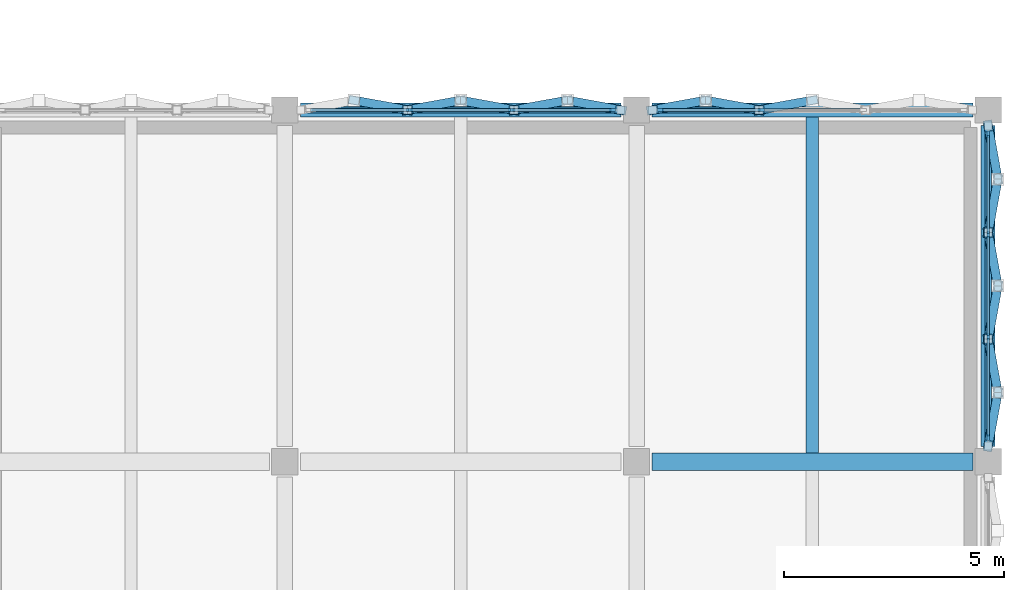
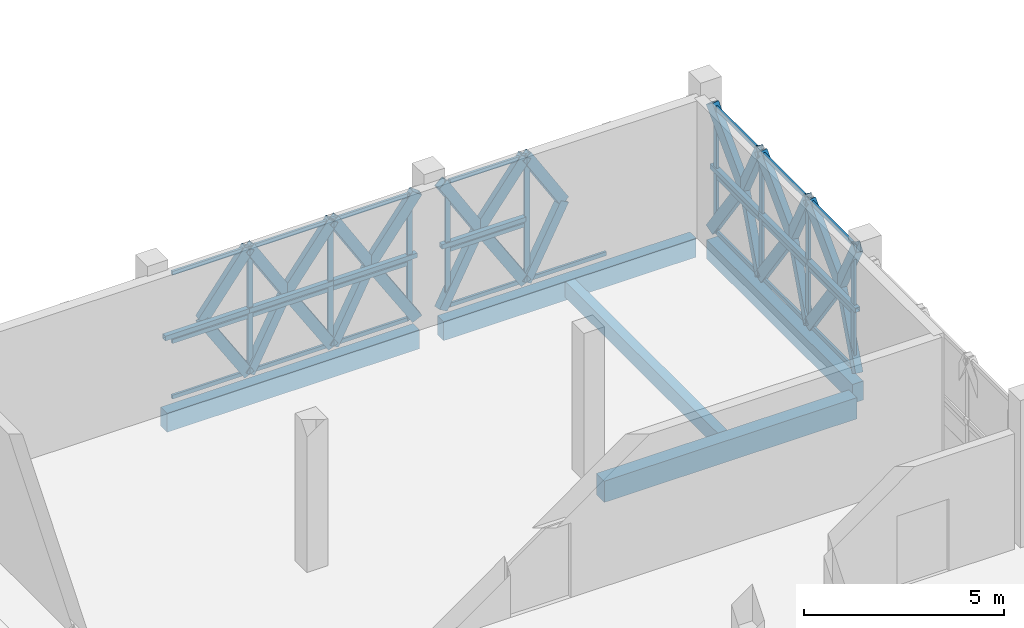
# One storey, part 18 of 43: 66 members, 5 beams, 3 elements without a shape of their own.
"""IFC4 building model written with IfcOpenShell, lengths in metres."""

from ifc_helpers import new_model, si_unit, direction, frame, origin, origin_2d, place, context, subcontext, project, spatial, rectangle, hollow_rectangle, extrude, material, layer, layer_set, material_profile, profile_set, type_object, element, aggregate, save


model = new_model("IFC4")

# Units and contexts
model_context = context("Model", 3, precision=1e-05, world=origin(), true_north=direction((0.0, 1.0)))
body_context = subcontext(model_context, "Body", "Model", "MODEL_VIEW")
ifc_project = project(units=[si_unit("LENGTHUNIT", "METRE"), si_unit("AREAUNIT", "SQUARE_METRE"), si_unit("VOLUMEUNIT", "CUBIC_METRE"), si_unit("PLANEANGLEUNIT", "RADIAN"), si_unit("MASSUNIT", "GRAM", prefix="KILO")], contexts=[model_context])

# Site, building, storey
site_placement = place(None, origin())
site = spatial("IfcSite", under=ifc_project, at=site_placement, CompositionType="ELEMENT")
building_placement = place(site_placement, origin())
building = spatial("IfcBuilding", under=site, at=building_placement, Name="Qorikala Patio Media Centre", CompositionType="ELEMENT")
storey_placement = place(building_placement, frame((0.0, 0.0, 18.89990234375)))
storey = spatial("IfcBuildingStorey", under=building, at=storey_placement, Name="L04", CompositionType="ELEMENT", Elevation=18.89990234375)

# Beam
ifc_material_1 = material(Name="Concrete C35/45", Category="concrete")
ifc_material_profile_1 = material_profile(ifc_material_1, rectangle(XDim=0.39990234375, YDim=0.64990234375, at=origin_2d()), Name="RC 400x650")
ifc_profile_set_1 = profile_set([ifc_material_profile_1], Name="Concrete C35/45")
beam_type_1 = type_object("IfcBeamType", Name="BM-G400X650", PredefinedType="BEAM", material=ifc_profile_set_1)
beam_1_placement = place(storey_placement, frame((90.35009765625, 19.0, -0.625), z_axis=(1.0, 0.0, 0.0), x_axis=(0.0, 1.0, 0.0)))
element("IfcBeam", 1, at=beam_1_placement, inside=storey, type_object=beam_type_1, Name="L04 Grid 19 Beam 1348", PredefinedType="BEAM", context=body_context, shape_type="SweptSolid", body=[
    extrude(rectangle(XDim=0.39990234375, YDim=0.64990234375, at=origin_2d()), origin(), (0.0, 0.0, 1.0), 7.2998046875),
])

# Members
ifc_material_2 = material(Name="Golden Bronze Coated Steel S355", Category="steel")
ifc_material_profile_2 = material_profile(ifc_material_2, hollow_rectangle(XDim=0.139892578125, YDim=0.139892578125, WallThickness=0.006103515625, at=origin_2d()), Name="HSS140X140X6")
ifc_profile_set_2 = profile_set([ifc_material_profile_2], Name="Golden Bronze Coated Steel S355")
member_type_1 = type_object("IfcMemberType", Name="BRACE-DIA140", PredefinedType="BRACE", material=ifc_profile_set_2)
member_1_placement = place(storey_placement, frame((82.360107421875, 27.0, 1.925048828125), z_axis=(1.0, 0.0, 0.0), x_axis=(0.0, 1.0, 0.0)))
element("IfcMember", 2, at=member_1_placement, inside=storey, type_object=member_type_1, Name="L04 Diamond Fold Tie 115", PredefinedType="BRACE", context=body_context, shape_type="SweptSolid", body=[
    extrude(hollow_rectangle(XDim=0.139892578125, YDim=0.139892578125, WallThickness=0.006103515625, at=origin_2d()), origin(), (0.0, 0.0, 1.0), 2.426513671875),
])
member_2_placement = place(storey_placement, frame((84.78662109375, 27.0, 1.925048828125), z_axis=(1.0, 0.0, 0.0), x_axis=(0.0, 1.0, 0.0)))
element("IfcMember", 3, at=member_2_placement, inside=storey, type_object=member_type_1, Name="L04 Diamond Fold Tie 116", PredefinedType="BRACE", context=body_context, shape_type="SweptSolid", body=[
    extrude(hollow_rectangle(XDim=0.139892578125, YDim=0.139892578125, WallThickness=0.006103515625, at=origin_2d()), origin(), (0.0, 0.0, 1.0), 2.4267578125),
])
for number, where, z_axis, x_axis, name in (
    (4, (87.21337890625, 27.0, 1.925048828125), (1.0, 0.0, 0.0), (0.0, 1.0, 0.0), "L04 Diamond Fold Tie 117"),
    (5, (90.360107421875, 27.0, 1.925048828125), (1.0, 0.0, 0.0), (0.0, 1.0, 0.0), "L04 Diamond Fold Tie 118"),
    (6, (98.0, 26.639892578125, 1.925048828125), (0.0, -1.0, 0.0), (1.0, 0.0, 0.0), "L04 Diamond Fold Tie 121"),
):
    element("IfcMember", number, at=place(storey_placement, frame(where, z_axis=z_axis, x_axis=x_axis)), inside=storey, type_object=member_type_1, Name=name, PredefinedType="BRACE", context=body_context, shape_type="SweptSolid", body=[
        extrude(hollow_rectangle(XDim=0.139892578125, YDim=0.139892578125, WallThickness=0.006103515625, at=origin_2d()), origin(), (0.0, 0.0, 1.0), 2.426513671875),
    ])
member_3_placement = place(storey_placement, frame((98.0, 24.21337890625, 1.925048828125), z_axis=(0.0, -1.0, 0.0), x_axis=(1.0, 0.0, 0.0)))
element("IfcMember", 7, at=member_3_placement, inside=storey, type_object=member_type_1, Name="L04 Diamond Fold Tie 122", PredefinedType="BRACE", context=body_context, shape_type="SweptSolid", body=[
    extrude(hollow_rectangle(XDim=0.139892578125, YDim=0.139892578125, WallThickness=0.006103515625, at=origin_2d()), origin(), (0.0, 0.0, 1.0), 2.4267578125),
])
member_4_placement = place(storey_placement, frame((98.0, 21.78662109375, 1.925048828125), z_axis=(0.0, -1.0, 0.0), x_axis=(1.0, 0.0, 0.0)))
element("IfcMember", 8, at=member_4_placement, inside=storey, type_object=member_type_1, Name="L04 Diamond Fold Tie 123", PredefinedType="BRACE", context=body_context, shape_type="SweptSolid", body=[
    extrude(hollow_rectangle(XDim=0.139892578125, YDim=0.139892578125, WallThickness=0.006103515625, at=origin_2d()), origin(), (0.0, 0.0, 1.0), 2.426513671875),
])

# Curtain wall, members
ifc_material_3 = material(Name="Golden Bronze Anodised Aluminium and Low-E Glass", Category="aluminium")
ifc_layer = layer(ifc_material_3, 0.159912109375)
ifc_layer_set = layer_set([ifc_layer], Name="Golden Bronze Anodised Aluminium and Low-E Glass")
curtain_wall_type = type_object("IfcCurtainWallType", Name="CW-DIA-696X385", PredefinedType="USERDEFINED", material=ifc_layer_set)
curtain_wall_1_placement = place(storey_placement, origin())
curtain_wall_1 = element("IfcCurtainWall", 9, at=curtain_wall_1_placement, inside=storey, type_object=curtain_wall_type, Name="L04 Courtyard Curtain Wall 080", ObjectType="COURTYARD CURTAIN WALL", PredefinedType="USERDEFINED")
ifc_material_4 = material(Name="Golden Bronze Anodised Aluminium", Category="aluminium")
ifc_material_profile_3 = material_profile(ifc_material_4, rectangle(XDim=0.06494140625, YDim=0.14990234375, at=origin_2d()), Name="ALU MULLION 65x150")
ifc_profile_set_3 = profile_set([ifc_material_profile_3], Name="Golden Bronze Anodised Aluminium")
member_type_2 = type_object("IfcMemberType", Name="CWM-65X150", PredefinedType="MULLION", material=ifc_profile_set_3)
member_5_placement = place(storey_placement, frame((84.840087890625, 27.0, 0.0), z_axis=(0.0, 0.0, 1.0), x_axis=(0.0, 1.0, 0.0)))
member_5 = element("IfcMember", 10, at=member_5_placement, type_object=member_type_2, Name="CWD696385 mullion 2", PredefinedType="MULLION", context=body_context, shape_type="SweptSolid", body=[
    extrude(rectangle(XDim=0.06494140625, YDim=0.14990234375, at=origin_2d()), origin(), (0.0, 0.0, 1.0), 3.85009765625),
])
member_6_placement = place(storey_placement, frame((87.159912109375, 27.0, 0.0), z_axis=(0.0, 0.0, 1.0), x_axis=(0.0, 1.0, 0.0)))
member_6 = element("IfcMember", 11, at=member_6_placement, type_object=member_type_2, Name="CWD696385 mullion 3", PredefinedType="MULLION", context=body_context, shape_type="SweptSolid", body=[
    extrude(rectangle(XDim=0.06494140625, YDim=0.14990234375, at=origin_2d()), origin(), (0.0, 0.0, 1.0), 3.85009765625),
])
member_7_placement = place(storey_placement, frame((89.447509765625, 27.0, 0.0), z_axis=(0.0, 0.0, 1.0), x_axis=(0.0, 1.0, 0.0)))
member_7 = element("IfcMember", 12, at=member_7_placement, type_object=member_type_2, Name="CWD696385 mullion 4", PredefinedType="MULLION", context=body_context, shape_type="SweptSolid", body=[
    extrude(rectangle(XDim=0.06494140625, YDim=0.14990234375, at=origin_2d()), origin(), (0.0, 0.0, 1.0), 3.85009765625),
])

curtain_wall_2_placement = place(storey_placement, origin())
curtain_wall_2 = element("IfcCurtainWall", 13, at=curtain_wall_2_placement, inside=storey, type_object=curtain_wall_type, Name="L04 Courtyard Curtain Wall 081", ObjectType="COURTYARD CURTAIN WALL", PredefinedType="USERDEFINED")
member_8_placement = place(storey_placement, frame((90.552490234375, 27.0, 0.0), z_axis=(0.0, 0.0, 1.0), x_axis=(0.0, 1.0, 0.0)))
member_8 = element("IfcMember", 14, at=member_8_placement, type_object=member_type_2, Name="CWD696385 mullion 1", PredefinedType="MULLION", context=body_context, shape_type="SweptSolid", body=[
    extrude(rectangle(XDim=0.06494140625, YDim=0.14990234375, at=origin_2d()), origin(), (0.0, 0.0, 1.0), 3.85009765625),
])
member_9_placement = place(storey_placement, frame((92.840087890625, 27.0, 0.0), z_axis=(0.0, 0.0, 1.0), x_axis=(0.0, 1.0, 0.0)))
member_9 = element("IfcMember", 15, at=member_9_placement, type_object=member_type_2, Name="CWD696385 mullion 2", PredefinedType="MULLION", context=body_context, shape_type="SweptSolid", body=[
    extrude(rectangle(XDim=0.06494140625, YDim=0.14990234375, at=origin_2d()), origin(), (0.0, 0.0, 1.0), 3.85009765625),
])

curtain_wall_3_placement = place(storey_placement, origin())
curtain_wall_3 = element("IfcCurtainWall", 16, at=curtain_wall_3_placement, inside=storey, type_object=curtain_wall_type, Name="L04 Courtyard Curtain Wall 082", ObjectType="COURTYARD CURTAIN WALL", PredefinedType="USERDEFINED")
member_10_placement = place(storey_placement, frame((98.0, 26.447509765625, 0.0), z_axis=(0.0, 0.0, 1.0), x_axis=(1.0, 0.0, 0.0)))
member_10 = element("IfcMember", 17, at=member_10_placement, type_object=member_type_2, Name="CWD696385 mullion 1", PredefinedType="MULLION", context=body_context, shape_type="SweptSolid", body=[
    extrude(rectangle(XDim=0.06494140625, YDim=0.14990234375, at=origin_2d()), origin(), (0.0, 0.0, 1.0), 3.85009765625),
])
member_11_placement = place(storey_placement, frame((98.0, 24.159912109375, 0.0), z_axis=(0.0, 0.0, 1.0), x_axis=(1.0, 0.0, 0.0)))
member_11 = element("IfcMember", 18, at=member_11_placement, type_object=member_type_2, Name="CWD696385 mullion 2", PredefinedType="MULLION", context=body_context, shape_type="SweptSolid", body=[
    extrude(rectangle(XDim=0.06494140625, YDim=0.14990234375, at=origin_2d()), origin(), (0.0, 0.0, 1.0), 3.85009765625),
])
member_12_placement = place(storey_placement, frame((98.0, 21.840087890625, 0.0), z_axis=(0.0, 0.0, 1.0), x_axis=(1.0, 0.0, 0.0)))
member_12 = element("IfcMember", 19, at=member_12_placement, type_object=member_type_2, Name="CWD696385 mullion 3", PredefinedType="MULLION", context=body_context, shape_type="SweptSolid", body=[
    extrude(rectangle(XDim=0.06494140625, YDim=0.14990234375, at=origin_2d()), origin(), (0.0, 0.0, 1.0), 3.85009765625),
])
member_13_placement = place(storey_placement, frame((98.0, 19.552490234375, 0.0), z_axis=(0.0, 0.0, 1.0), x_axis=(1.0, 0.0, 0.0)))
member_13 = element("IfcMember", 20, at=member_13_placement, type_object=member_type_2, Name="CWD696385 mullion 4", PredefinedType="MULLION", context=body_context, shape_type="SweptSolid", body=[
    extrude(rectangle(XDim=0.06494140625, YDim=0.14990234375, at=origin_2d()), origin(), (0.0, 0.0, 1.0), 3.85009765625),
])

# Member
ifc_material_profile_4 = material_profile(ifc_material_4, rectangle(XDim=0.06494140625, YDim=0.1201171875, at=origin_2d()), Name="ALU TRANSOM 65x120")
ifc_profile_set_4 = profile_set([ifc_material_profile_4], Name="Golden Bronze Anodised Aluminium")
member_type_3 = type_object("IfcMemberType", Name="CWT-65X120", PredefinedType="USERDEFINED", material=ifc_profile_set_4)
member_14_placement = place(storey_placement, frame((82.5849609375, 27.0, 0.03271484375), z_axis=(1.0, 0.0, 0.0), x_axis=(0.0, 1.0, 0.0)))
member_14 = element("IfcMember", 21, at=member_14_placement, type_object=member_type_3, Name="CWD696385 transom 1.1", ObjectType="TRANSOM", PredefinedType="USERDEFINED", context=body_context, shape_type="SweptSolid", body=[
    extrude(rectangle(XDim=0.06494140625, YDim=0.1201171875, at=origin_2d()), origin(), (0.0, 0.0, 1.0), 2.22265625),
])

member_15_placement = place(storey_placement, frame((82.5849609375, 27.0, 1.732666015625), z_axis=(1.0, 0.0, 0.0), x_axis=(0.0, 1.0, 0.0)))
member_15 = element("IfcMember", 22, at=member_15_placement, type_object=member_type_3, Name="CWD696385 transom 1.2", ObjectType="TRANSOM", PredefinedType="USERDEFINED", context=body_context, shape_type="SweptSolid", body=[
    extrude(rectangle(XDim=0.06494140625, YDim=0.1201171875, at=origin_2d()), origin(), (0.0, 0.0, 1.0), 2.22265625),
])

member_16_placement = place(storey_placement, frame((82.5849609375, 27.0, 3.817626953125), z_axis=(1.0, 0.0, 0.0), x_axis=(0.0, 1.0, 0.0)))
member_16 = element("IfcMember", 23, at=member_16_placement, type_object=member_type_3, Name="CWD696385 transom 1.3", ObjectType="TRANSOM", PredefinedType="USERDEFINED", context=body_context, shape_type="SweptSolid", body=[
    extrude(rectangle(XDim=0.06494140625, YDim=0.1201171875, at=origin_2d()), origin(), (0.0, 0.0, 1.0), 2.22265625),
])

member_17_placement = place(storey_placement, frame((84.87255859375, 27.0, 0.03271484375), z_axis=(1.0, 0.0, 0.0), x_axis=(0.0, 1.0, 0.0)))
member_17 = element("IfcMember", 24, at=member_17_placement, type_object=member_type_3, Name="CWD696385 transom 2.1", ObjectType="TRANSOM", PredefinedType="USERDEFINED", context=body_context, shape_type="SweptSolid", body=[
    extrude(rectangle(XDim=0.06494140625, YDim=0.1201171875, at=origin_2d()), origin(), (0.0, 0.0, 1.0), 2.2548828125),
])

member_18_placement = place(storey_placement, frame((84.87255859375, 27.0, 1.732666015625), z_axis=(1.0, 0.0, 0.0), x_axis=(0.0, 1.0, 0.0)))
member_18 = element("IfcMember", 25, at=member_18_placement, type_object=member_type_3, Name="CWD696385 transom 2.2", ObjectType="TRANSOM", PredefinedType="USERDEFINED", context=body_context, shape_type="SweptSolid", body=[
    extrude(rectangle(XDim=0.06494140625, YDim=0.1201171875, at=origin_2d()), origin(), (0.0, 0.0, 1.0), 2.2548828125),
])

member_19_placement = place(storey_placement, frame((84.87255859375, 27.0, 3.817626953125), z_axis=(1.0, 0.0, 0.0), x_axis=(0.0, 1.0, 0.0)))
member_19 = element("IfcMember", 26, at=member_19_placement, type_object=member_type_3, Name="CWD696385 transom 2.3", ObjectType="TRANSOM", PredefinedType="USERDEFINED", context=body_context, shape_type="SweptSolid", body=[
    extrude(rectangle(XDim=0.06494140625, YDim=0.1201171875, at=origin_2d()), origin(), (0.0, 0.0, 1.0), 2.2548828125),
])

member_20_placement = place(storey_placement, frame((87.1923828125, 27.0, 0.03271484375), z_axis=(1.0, 0.0, 0.0), x_axis=(0.0, 1.0, 0.0)))
member_20 = element("IfcMember", 27, at=member_20_placement, type_object=member_type_3, Name="CWD696385 transom 3.1", ObjectType="TRANSOM", PredefinedType="USERDEFINED", context=body_context, shape_type="SweptSolid", body=[
    extrude(rectangle(XDim=0.06494140625, YDim=0.1201171875, at=origin_2d()), origin(), (0.0, 0.0, 1.0), 2.22265625),
])

member_21_placement = place(storey_placement, frame((87.1923828125, 27.0, 1.732666015625), z_axis=(1.0, 0.0, 0.0), x_axis=(0.0, 1.0, 0.0)))
member_21 = element("IfcMember", 28, at=member_21_placement, type_object=member_type_3, Name="CWD696385 transom 3.2", ObjectType="TRANSOM", PredefinedType="USERDEFINED", context=body_context, shape_type="SweptSolid", body=[
    extrude(rectangle(XDim=0.06494140625, YDim=0.1201171875, at=origin_2d()), origin(), (0.0, 0.0, 1.0), 2.22265625),
])

member_22_placement = place(storey_placement, frame((87.1923828125, 27.0, 3.817626953125), z_axis=(1.0, 0.0, 0.0), x_axis=(0.0, 1.0, 0.0)))
member_22 = element("IfcMember", 29, at=member_22_placement, type_object=member_type_3, Name="CWD696385 transom 3.3", ObjectType="TRANSOM", PredefinedType="USERDEFINED", context=body_context, shape_type="SweptSolid", body=[
    extrude(rectangle(XDim=0.06494140625, YDim=0.1201171875, at=origin_2d()), origin(), (0.0, 0.0, 1.0), 2.22265625),
])

aggregate(curtain_wall_1, [member_5, member_6, member_7, member_14, member_15, member_16, member_17, member_18, member_19, member_20, member_21, member_22])

member_23_placement = place(storey_placement, frame((90.5849609375, 27.0, 0.03271484375), z_axis=(1.0, 0.0, 0.0), x_axis=(0.0, 1.0, 0.0)))
member_23 = element("IfcMember", 30, at=member_23_placement, type_object=member_type_3, Name="CWD696385 transom 1.1", ObjectType="TRANSOM", PredefinedType="USERDEFINED", context=body_context, shape_type="SweptSolid", body=[
    extrude(rectangle(XDim=0.06494140625, YDim=0.1201171875, at=origin_2d()), origin(), (0.0, 0.0, 1.0), 2.22265625),
])

member_24_placement = place(storey_placement, frame((90.5849609375, 27.0, 1.732666015625), z_axis=(1.0, 0.0, 0.0), x_axis=(0.0, 1.0, 0.0)))
member_24 = element("IfcMember", 31, at=member_24_placement, type_object=member_type_3, Name="CWD696385 transom 1.2", ObjectType="TRANSOM", PredefinedType="USERDEFINED", context=body_context, shape_type="SweptSolid", body=[
    extrude(rectangle(XDim=0.06494140625, YDim=0.1201171875, at=origin_2d()), origin(), (0.0, 0.0, 1.0), 2.22265625),
])

member_25_placement = place(storey_placement, frame((90.5849609375, 27.0, 3.817626953125), z_axis=(1.0, 0.0, 0.0), x_axis=(0.0, 1.0, 0.0)))
member_25 = element("IfcMember", 32, at=member_25_placement, type_object=member_type_3, Name="CWD696385 transom 1.3", ObjectType="TRANSOM", PredefinedType="USERDEFINED", context=body_context, shape_type="SweptSolid", body=[
    extrude(rectangle(XDim=0.06494140625, YDim=0.1201171875, at=origin_2d()), origin(), (0.0, 0.0, 1.0), 2.22265625),
])

member_26_placement = place(storey_placement, frame((92.87255859375, 27.0, 0.03271484375), z_axis=(1.0, 0.0, 0.0), x_axis=(0.0, 1.0, 0.0)))
member_26 = element("IfcMember", 33, at=member_26_placement, type_object=member_type_3, Name="CWD696385 transom 2.1", ObjectType="TRANSOM", PredefinedType="USERDEFINED", context=body_context, shape_type="SweptSolid", body=[
    extrude(rectangle(XDim=0.06494140625, YDim=0.1201171875, at=origin_2d()), origin(), (0.0, 0.0, 1.0), 2.2548828125),
])

aggregate(curtain_wall_2, [member_8, member_9, member_23, member_24, member_25, member_26])

member_27_placement = place(storey_placement, frame((98.0, 26.4150390625, 0.03271484375), z_axis=(0.0, -1.0, 0.0), x_axis=(1.0, 0.0, 0.0)))
member_27 = element("IfcMember", 34, at=member_27_placement, type_object=member_type_3, Name="CWD696385 transom 1.1", ObjectType="TRANSOM", PredefinedType="USERDEFINED", context=body_context, shape_type="SweptSolid", body=[
    extrude(rectangle(XDim=0.06494140625, YDim=0.1201171875, at=origin_2d()), origin(), (0.0, 0.0, 1.0), 2.22265625),
])

member_28_placement = place(storey_placement, frame((98.0, 26.4150390625, 1.732666015625), z_axis=(0.0, -1.0, 0.0), x_axis=(1.0, 0.0, 0.0)))
member_28 = element("IfcMember", 35, at=member_28_placement, type_object=member_type_3, Name="CWD696385 transom 1.2", ObjectType="TRANSOM", PredefinedType="USERDEFINED", context=body_context, shape_type="SweptSolid", body=[
    extrude(rectangle(XDim=0.06494140625, YDim=0.1201171875, at=origin_2d()), origin(), (0.0, 0.0, 1.0), 2.22265625),
])

member_29_placement = place(storey_placement, frame((98.0, 26.4150390625, 3.817626953125), z_axis=(0.0, -1.0, 0.0), x_axis=(1.0, 0.0, 0.0)))
member_29 = element("IfcMember", 36, at=member_29_placement, type_object=member_type_3, Name="CWD696385 transom 1.3", ObjectType="TRANSOM", PredefinedType="USERDEFINED", context=body_context, shape_type="SweptSolid", body=[
    extrude(rectangle(XDim=0.06494140625, YDim=0.1201171875, at=origin_2d()), origin(), (0.0, 0.0, 1.0), 2.22265625),
])

member_30_placement = place(storey_placement, frame((98.0, 24.12744140625, 0.03271484375), z_axis=(0.0, -1.0, 0.0), x_axis=(1.0, 0.0, 0.0)))
member_30 = element("IfcMember", 37, at=member_30_placement, type_object=member_type_3, Name="CWD696385 transom 2.1", ObjectType="TRANSOM", PredefinedType="USERDEFINED", context=body_context, shape_type="SweptSolid", body=[
    extrude(rectangle(XDim=0.06494140625, YDim=0.1201171875, at=origin_2d()), origin(), (0.0, 0.0, 1.0), 2.2548828125),
])

member_31_placement = place(storey_placement, frame((98.0, 24.12744140625, 1.732666015625), z_axis=(0.0, -1.0, 0.0), x_axis=(1.0, 0.0, 0.0)))
member_31 = element("IfcMember", 38, at=member_31_placement, type_object=member_type_3, Name="CWD696385 transom 2.2", ObjectType="TRANSOM", PredefinedType="USERDEFINED", context=body_context, shape_type="SweptSolid", body=[
    extrude(rectangle(XDim=0.06494140625, YDim=0.1201171875, at=origin_2d()), origin(), (0.0, 0.0, 1.0), 2.2548828125),
])

member_32_placement = place(storey_placement, frame((98.0, 24.12744140625, 3.817626953125), z_axis=(0.0, -1.0, 0.0), x_axis=(1.0, 0.0, 0.0)))
member_32 = element("IfcMember", 39, at=member_32_placement, type_object=member_type_3, Name="CWD696385 transom 2.3", ObjectType="TRANSOM", PredefinedType="USERDEFINED", context=body_context, shape_type="SweptSolid", body=[
    extrude(rectangle(XDim=0.06494140625, YDim=0.1201171875, at=origin_2d()), origin(), (0.0, 0.0, 1.0), 2.2548828125),
])

member_33_placement = place(storey_placement, frame((98.0, 21.8076171875, 0.03271484375), z_axis=(0.0, -1.0, 0.0), x_axis=(1.0, 0.0, 0.0)))
member_33 = element("IfcMember", 40, at=member_33_placement, type_object=member_type_3, Name="CWD696385 transom 3.1", ObjectType="TRANSOM", PredefinedType="USERDEFINED", context=body_context, shape_type="SweptSolid", body=[
    extrude(rectangle(XDim=0.06494140625, YDim=0.1201171875, at=origin_2d()), origin(), (0.0, 0.0, 1.0), 2.22265625),
])

member_34_placement = place(storey_placement, frame((98.0, 21.8076171875, 1.732666015625), z_axis=(0.0, -1.0, 0.0), x_axis=(1.0, 0.0, 0.0)))
member_34 = element("IfcMember", 41, at=member_34_placement, type_object=member_type_3, Name="CWD696385 transom 3.2", ObjectType="TRANSOM", PredefinedType="USERDEFINED", context=body_context, shape_type="SweptSolid", body=[
    extrude(rectangle(XDim=0.06494140625, YDim=0.1201171875, at=origin_2d()), origin(), (0.0, 0.0, 1.0), 2.22265625),
])

member_35_placement = place(storey_placement, frame((98.0, 21.8076171875, 3.817626953125), z_axis=(0.0, -1.0, 0.0), x_axis=(1.0, 0.0, 0.0)))
member_35 = element("IfcMember", 42, at=member_35_placement, type_object=member_type_3, Name="CWD696385 transom 3.3", ObjectType="TRANSOM", PredefinedType="USERDEFINED", context=body_context, shape_type="SweptSolid", body=[
    extrude(rectangle(XDim=0.06494140625, YDim=0.1201171875, at=origin_2d()), origin(), (0.0, 0.0, 1.0), 2.22265625),
])

aggregate(curtain_wall_3, [member_10, member_11, member_12, member_13, member_27, member_28, member_29, member_30, member_31, member_32, member_33, member_34, member_35])

# Beams
ifc_material_profile_5 = material_profile(ifc_material_1, rectangle(XDim=0.280029296875, YDim=0.47998046875, at=origin_2d()), Name="RC 280x480")
ifc_profile_set_5 = profile_set([ifc_material_profile_5], Name="Concrete C35/45")
beam_type_2 = type_object("IfcBeamType", Name="JS-280X480", PredefinedType="JOIST", material=ifc_profile_set_5)
beam_2_placement = place(storey_placement, frame((94.0, 19.199951171875, -0.539794921875), z_axis=(0.0, 1.0, 0.0), x_axis=(-1.0, 0.0, 0.0)))
element("IfcBeam", 43, at=beam_2_placement, inside=storey, type_object=beam_type_2, Name="L04 Secondary Joist 1485", PredefinedType="JOIST", context=body_context, shape_type="SweptSolid", body=[
    extrude(rectangle(XDim=0.280029296875, YDim=0.47998046875, at=origin_2d()), origin(), (0.0, 0.0, 1.0), 7.64013671875),
])
ifc_material_profile_6 = material_profile(ifc_material_1, rectangle(XDim=0.320068359375, YDim=0.580078125, at=origin_2d()), Name="RC 320x580")
ifc_profile_set_6 = profile_set([ifc_material_profile_6], Name="Concrete C35/45")
beam_type_3 = type_object("IfcBeamType", Name="SP-320X580", PredefinedType="SPANDREL", material=ifc_profile_set_6)
for number, where, z_axis, x_axis, name in (
    (44, (82.35009765625, 27.0, -0.58984375), (1.0, 0.0, 0.0), (0.0, 1.0, 0.0), "L04 Grid 27 Beam 1359"),
    (45, (90.35009765625, 27.0, -0.58984375), (1.0, 0.0, 0.0), (0.0, 1.0, 0.0), "L04 Grid 27 Beam 1360"),
    (46, (98.0, 19.35009765625, -0.58984375), (0.0, 1.0, 0.0), (-1.0, 0.0, 0.0), "L04 Grid X=98 Beam 1442"),
):
    element("IfcBeam", number, at=place(storey_placement, frame(where, z_axis=z_axis, x_axis=x_axis)), inside=storey, type_object=beam_type_3, Name=name, PredefinedType="SPANDREL", context=body_context, shape_type="SweptSolid", body=[
        extrude(rectangle(XDim=0.320068359375, YDim=0.580078125, at=origin_2d()), origin(), (0.0, 0.0, 1.0), 7.2998046875),
    ])

# Members
ifc_material_profile_7 = material_profile(ifc_material_2, hollow_rectangle(XDim=0.199951171875, YDim=0.300048828125, WallThickness=0.011962890625, at=origin_2d()), Name="HSS300X200X12")
ifc_profile_set_7 = profile_set([ifc_material_profile_7], Name="Golden Bronze Coated Steel S355")
member_type_4 = type_object("IfcMemberType", Name="STRUT-DIA300", PredefinedType="STRUT", material=ifc_profile_set_7)
for number, where, z_axis, x_axis, name in (
    (47, (84.78662109375, 27.0, 0.0), (-0.530768093717, 0.095901357778, 0.842073726148), (-0.177805036072, -0.98406573416, 0.0), "L04 Diamond Foyer Fold Strut 115-DL2"),
    (48, (83.5732421875, 27.21923828125, 1.925048828125), (0.530768093717, -0.095901357778, 0.842073726148), (0.177805036072, 0.98406573416, 0.0), "L04 Diamond Foyer Fold Strut 115-DU2"),
    (49, (84.78662109375, 27.0, 0.0), (0.530768093717, 0.095901357778, 0.842073726148), (-0.177805036072, 0.98406573416, 0.0), "L04 Diamond Foyer Fold Strut 116-DL1"),
    (50, (87.21337890625, 27.0, 0.0), (-0.530768093717, 0.095901357778, 0.842073726148), (-0.177805036072, -0.98406573416, 0.0), "L04 Diamond Foyer Fold Strut 116-DL2"),
    (51, (86.0, 27.21923828125, 1.925048828125), (-0.530768093717, -0.095901357778, 0.842073726148), (0.177805036072, -0.98406573416, 0.0), "L04 Diamond Foyer Fold Strut 116-DU1"),
    (52, (86.0, 27.21923828125, 1.925048828125), (0.530768093717, -0.095901357778, 0.842073726148), (0.177805036072, 0.98406573416, 0.0), "L04 Diamond Foyer Fold Strut 116-DU2"),
    (53, (87.21337890625, 27.0, 0.0), (0.530768093717, 0.095901357778, 0.842073726148), (-0.177805036072, 0.98406573416, 0.0), "L04 Diamond Foyer Fold Strut 117-DL1"),
):
    element("IfcMember", number, at=place(storey_placement, frame(where, z_axis=z_axis, x_axis=x_axis)), inside=storey, type_object=member_type_4, Name=name, PredefinedType="STRUT", context=body_context, shape_type="SweptSolid", body=[
        extrude(hollow_rectangle(XDim=0.199951171875, YDim=0.300048828125, WallThickness=0.011962890625, at=origin_2d()), origin(), (0.0, 0.0, 1.0), 2.2861328125),
    ])
member_36_placement = place(storey_placement, frame((89.639892578125, 27.0, 0.0), z_axis=(-0.530691378365, 0.095906793675, 0.842121456713), x_axis=(-0.17783968734, -0.984059472596, 0.0)))
element("IfcMember", 54, at=member_36_placement, inside=storey, type_object=member_type_4, Name="L04 Diamond Foyer Fold Strut 117-DL2", PredefinedType="STRUT", context=body_context, shape_type="SweptSolid", body=[
    extrude(hollow_rectangle(XDim=0.199951171875, YDim=0.300048828125, WallThickness=0.011962890625, at=origin_2d()), origin(), (0.0, 0.0, 1.0), 2.285888671875),
])
member_37_placement = place(storey_placement, frame((88.4267578125, 27.21923828125, 1.925048828125), z_axis=(-0.530768093717, -0.095901357778, 0.842073726148), x_axis=(0.177805036072, -0.98406573416, 0.0)))
element("IfcMember", 55, at=member_37_placement, inside=storey, type_object=member_type_4, Name="L04 Diamond Foyer Fold Strut 117-DU1", PredefinedType="STRUT", context=body_context, shape_type="SweptSolid", body=[
    extrude(hollow_rectangle(XDim=0.199951171875, YDim=0.300048828125, WallThickness=0.011962890625, at=origin_2d()), origin(), (0.0, 0.0, 1.0), 2.2861328125),
])
for number, where, z_axis, x_axis, name in (
    (56, (88.4267578125, 27.21923828125, 1.925048828125), (0.530691378365, -0.095906793675, 0.842121456713), (0.17783968734, 0.984059472596, 0.0), "L04 Diamond Foyer Fold Strut 117-DU2"),
    (57, (90.360107421875, 27.0, 0.0), (0.530691378365, 0.095906793675, 0.842121456713), (-0.17783968734, 0.984059472596, 0.0), "L04 Diamond Foyer Fold Strut 118-DL1"),
):
    element("IfcMember", number, at=place(storey_placement, frame(where, z_axis=z_axis, x_axis=x_axis)), inside=storey, type_object=member_type_4, Name=name, PredefinedType="STRUT", context=body_context, shape_type="SweptSolid", body=[
        extrude(hollow_rectangle(XDim=0.199951171875, YDim=0.300048828125, WallThickness=0.011962890625, at=origin_2d()), origin(), (0.0, 0.0, 1.0), 2.285888671875),
    ])
member_38_placement = place(storey_placement, frame((92.78662109375, 27.0, 0.0), z_axis=(-0.530768093717, 0.095901357778, 0.842073726148), x_axis=(-0.177805036072, -0.98406573416, 0.0)))
element("IfcMember", 58, at=member_38_placement, inside=storey, type_object=member_type_4, Name="L04 Diamond Foyer Fold Strut 118-DL2", PredefinedType="STRUT", context=body_context, shape_type="SweptSolid", body=[
    extrude(hollow_rectangle(XDim=0.199951171875, YDim=0.300048828125, WallThickness=0.011962890625, at=origin_2d()), origin(), (0.0, 0.0, 1.0), 2.2861328125),
])
member_39_placement = place(storey_placement, frame((91.5732421875, 27.21923828125, 1.925048828125), z_axis=(-0.530691378365, -0.095906793675, 0.842121456713), x_axis=(0.17783968734, -0.984059472596, 0.0)))
element("IfcMember", 59, at=member_39_placement, inside=storey, type_object=member_type_4, Name="L04 Diamond Foyer Fold Strut 118-DU1", PredefinedType="STRUT", context=body_context, shape_type="SweptSolid", body=[
    extrude(hollow_rectangle(XDim=0.199951171875, YDim=0.300048828125, WallThickness=0.011962890625, at=origin_2d()), origin(), (0.0, 0.0, 1.0), 2.285888671875),
])
for number, where, z_axis, x_axis, name in (
    (60, (91.5732421875, 27.21923828125, 1.925048828125), (0.530768093717, -0.095901357778, 0.842073726148), (0.177805036072, 0.98406573416, 0.0), "L04 Diamond Foyer Fold Strut 118-DU2"),
    (61, (92.78662109375, 27.0, 0.0), (0.530768093717, 0.095901357778, 0.842073726148), (-0.177805036072, 0.98406573416, 0.0), "L04 Diamond Foyer Fold Strut 119-DL1"),
    (62, (94.0, 27.21923828125, 1.925048828125), (-0.530768093717, -0.095901357778, 0.842073726148), (0.177805036072, -0.98406573416, 0.0), "L04 Diamond Foyer Fold Strut 119-DU1"),
):
    element("IfcMember", number, at=place(storey_placement, frame(where, z_axis=z_axis, x_axis=x_axis)), inside=storey, type_object=member_type_4, Name=name, PredefinedType="STRUT", context=body_context, shape_type="SweptSolid", body=[
        extrude(hollow_rectangle(XDim=0.199951171875, YDim=0.300048828125, WallThickness=0.011962890625, at=origin_2d()), origin(), (0.0, 0.0, 1.0), 2.2861328125),
    ])
member_40_placement = place(storey_placement, frame((98.0, 26.639892578125, 0.0), z_axis=(0.095906793675, -0.530691378365, 0.842121456713), x_axis=(0.984059472596, 0.17783968734, 0.0)))
element("IfcMember", 63, at=member_40_placement, inside=storey, type_object=member_type_4, Name="L04 Diamond Foyer Fold Strut 121-DL1", PredefinedType="STRUT", context=body_context, shape_type="SweptSolid", body=[
    extrude(hollow_rectangle(XDim=0.199951171875, YDim=0.300048828125, WallThickness=0.011962890625, at=origin_2d()), origin(), (0.0, 0.0, 1.0), 2.285888671875),
])
member_41_placement = place(storey_placement, frame((98.0, 24.21337890625, 0.0), z_axis=(0.095901357778, 0.530768093717, 0.842073726148), x_axis=(-0.98406573416, 0.177805036072, 0.0)))
element("IfcMember", 64, at=member_41_placement, inside=storey, type_object=member_type_4, Name="L04 Diamond Foyer Fold Strut 121-DL2", PredefinedType="STRUT", context=body_context, shape_type="SweptSolid", body=[
    extrude(hollow_rectangle(XDim=0.199951171875, YDim=0.300048828125, WallThickness=0.011962890625, at=origin_2d()), origin(), (0.0, 0.0, 1.0), 2.2861328125),
])
member_42_placement = place(storey_placement, frame((98.21923828125, 25.4267578125, 1.925048828125), z_axis=(-0.095906793675, 0.530691378365, 0.842121456713), x_axis=(-0.984059472596, -0.17783968734, 0.0)))
element("IfcMember", 65, at=member_42_placement, inside=storey, type_object=member_type_4, Name="L04 Diamond Foyer Fold Strut 121-DU1", PredefinedType="STRUT", context=body_context, shape_type="SweptSolid", body=[
    extrude(hollow_rectangle(XDim=0.199951171875, YDim=0.300048828125, WallThickness=0.011962890625, at=origin_2d()), origin(), (0.0, 0.0, 1.0), 2.285888671875),
])
for number, where, z_axis, x_axis, name in (
    (66, (98.21923828125, 25.4267578125, 1.925048828125), (-0.095901357778, -0.530768093717, 0.842073726148), (0.98406573416, -0.177805036072, 0.0), "L04 Diamond Foyer Fold Strut 121-DU2"),
    (67, (98.0, 24.21337890625, 0.0), (0.095901357778, -0.530768093717, 0.842073726148), (0.98406573416, 0.177805036072, 0.0), "L04 Diamond Foyer Fold Strut 122-DL1"),
    (68, (98.0, 21.78662109375, 0.0), (0.095901357778, 0.530768093717, 0.842073726148), (-0.98406573416, 0.177805036072, 0.0), "L04 Diamond Foyer Fold Strut 122-DL2"),
    (69, (98.21923828125, 23.0, 1.925048828125), (-0.095901357778, 0.530768093717, 0.842073726148), (-0.98406573416, -0.177805036072, 0.0), "L04 Diamond Foyer Fold Strut 122-DU1"),
    (70, (98.21923828125, 23.0, 1.925048828125), (-0.095901357778, -0.530768093717, 0.842073726148), (0.98406573416, -0.177805036072, 0.0), "L04 Diamond Foyer Fold Strut 122-DU2"),
    (71, (98.0, 21.78662109375, 0.0), (0.095901357778, -0.530768093717, 0.842073726148), (0.98406573416, 0.177805036072, 0.0), "L04 Diamond Foyer Fold Strut 123-DL1"),
):
    element("IfcMember", number, at=place(storey_placement, frame(where, z_axis=z_axis, x_axis=x_axis)), inside=storey, type_object=member_type_4, Name=name, PredefinedType="STRUT", context=body_context, shape_type="SweptSolid", body=[
        extrude(hollow_rectangle(XDim=0.199951171875, YDim=0.300048828125, WallThickness=0.011962890625, at=origin_2d()), origin(), (0.0, 0.0, 1.0), 2.2861328125),
    ])
member_43_placement = place(storey_placement, frame((98.0, 19.360107421875, 0.0), z_axis=(0.095906793675, 0.530691378365, 0.842121456713), x_axis=(-0.984059472596, 0.17783968734, 0.0)))
element("IfcMember", 72, at=member_43_placement, inside=storey, type_object=member_type_4, Name="L04 Diamond Foyer Fold Strut 123-DL2", PredefinedType="STRUT", context=body_context, shape_type="SweptSolid", body=[
    extrude(hollow_rectangle(XDim=0.199951171875, YDim=0.300048828125, WallThickness=0.011962890625, at=origin_2d()), origin(), (0.0, 0.0, 1.0), 2.285888671875),
])
member_44_placement = place(storey_placement, frame((98.21923828125, 20.5732421875, 1.925048828125), z_axis=(-0.095901357778, 0.530768093717, 0.842073726148), x_axis=(-0.98406573416, -0.177805036072, 0.0)))
element("IfcMember", 73, at=member_44_placement, inside=storey, type_object=member_type_4, Name="L04 Diamond Foyer Fold Strut 123-DU1", PredefinedType="STRUT", context=body_context, shape_type="SweptSolid", body=[
    extrude(hollow_rectangle(XDim=0.199951171875, YDim=0.300048828125, WallThickness=0.011962890625, at=origin_2d()), origin(), (0.0, 0.0, 1.0), 2.2861328125),
])
member_45_placement = place(storey_placement, frame((98.21923828125, 20.5732421875, 1.925048828125), z_axis=(-0.095906793675, -0.530691378365, 0.842121456713), x_axis=(0.984059472596, -0.17783968734, 0.0)))
element("IfcMember", 74, at=member_45_placement, inside=storey, type_object=member_type_4, Name="L04 Diamond Foyer Fold Strut 123-DU2", PredefinedType="STRUT", context=body_context, shape_type="SweptSolid", body=[
    extrude(hollow_rectangle(XDim=0.199951171875, YDim=0.300048828125, WallThickness=0.011962890625, at=origin_2d()), origin(), (0.0, 0.0, 1.0), 2.285888671875),
])

save(model, "model.ifc")
